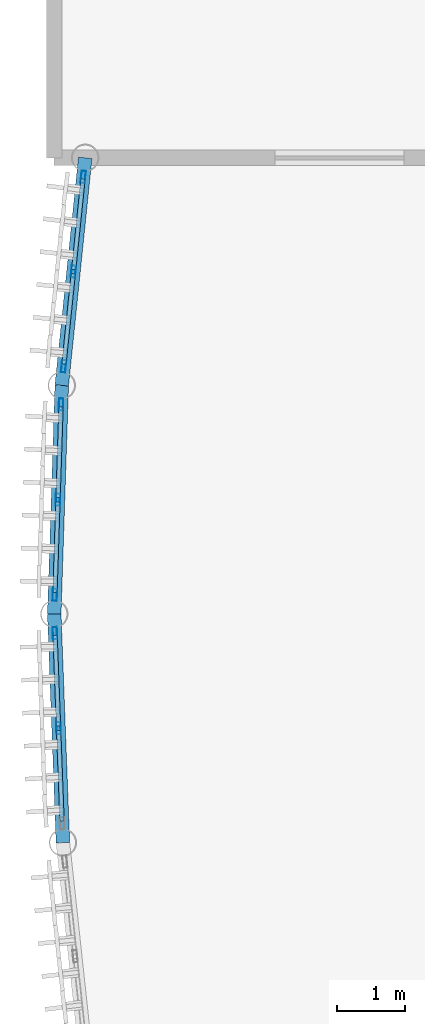
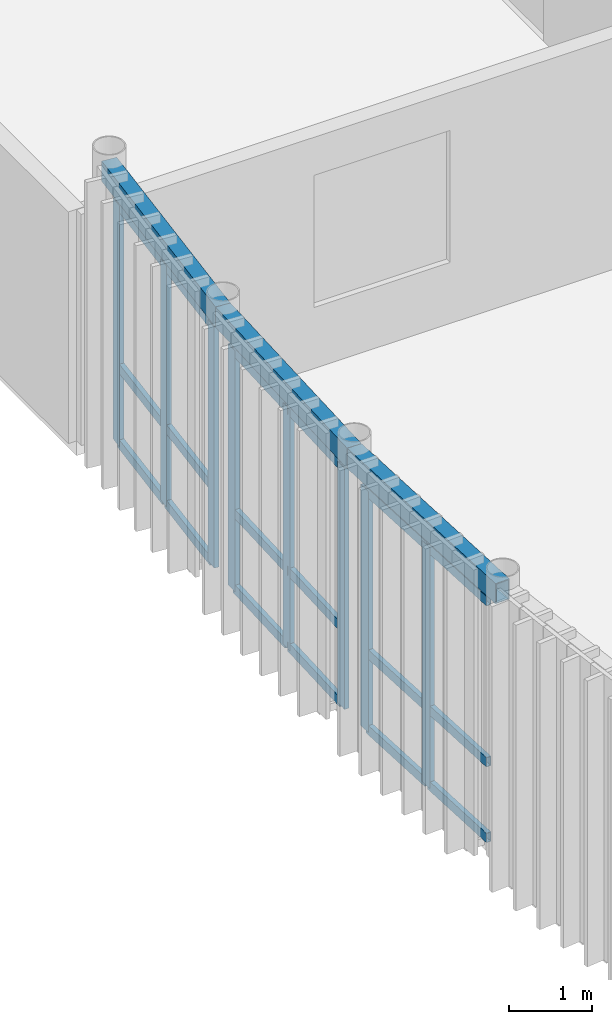
# One storey, part 20 of 54: 26 members, 3 beams, 3 elements without a shape of their own.
"""IFC4 building model written with IfcOpenShell, lengths in metres."""

from ifc_helpers import new_model, si_unit, direction, frame, origin, origin_2d, place, context, subcontext, project, spatial, hollow_rectangle, extrude, material, layer, layer_set, material_profile, profile_set, type_object, element, aggregate, save


model = new_model("IFC4")

# Units and contexts
model_context = context("Model", 3, precision=1e-05, world=origin(), true_north=direction((0.0, 1.0)))
body_context = subcontext(model_context, "Body", "Model", "MODEL_VIEW")
ifc_project = project(units=[si_unit("LENGTHUNIT", "METRE"), si_unit("AREAUNIT", "SQUARE_METRE"), si_unit("VOLUMEUNIT", "CUBIC_METRE"), si_unit("PLANEANGLEUNIT", "RADIAN"), si_unit("MASSUNIT", "GRAM", prefix="KILO")], contexts=[model_context])

# Site, building, storey
site_placement = place(None, origin())
site = spatial("IfcSite", under=ifc_project, at=site_placement, CompositionType="ELEMENT")
building_placement = place(site_placement, origin())
building = spatial("IfcBuilding", under=site, at=building_placement, Name="Selat Folded Stagehouse", CompositionType="ELEMENT")
storey_placement = place(building_placement, frame((0.0, 0.0, 15.0)))
storey = spatial("IfcBuildingStorey", under=building, at=storey_placement, Name="L03", CompositionType="ELEMENT", Elevation=15.0)

# Curtain wall, members
ifc_material_1 = material(Name="Aluminium 6063-T6", Category="aluminium")
ifc_layer = layer(ifc_material_1, 0.18505859375)
ifc_layer_set = layer_set([ifc_layer], Name="Aluminium 6063-T6")
curtain_wall_type = type_object("IfcCurtainWallType", Name="CW-DRM-UPPER", PredefinedType="NOTDEFINED", material=ifc_layer_set)
curtain_wall_1_placement = place(storey_placement, origin())
curtain_wall_1 = element("IfcCurtainWall", 1, at=curtain_wall_1_placement, inside=storey, type_object=curtain_wall_type, Name="L03 curtain wall CW-DRM-L03-00", PredefinedType="NOTDEFINED")
ifc_material_profile_1 = material_profile(ifc_material_1, hollow_rectangle(XDim=0.06494140625, YDim=0.179931640625, WallThickness=0.00390625, at=origin_2d()), Name="ALU 180x65x4.0")
ifc_profile_set_1 = profile_set([ifc_material_profile_1], Name="Aluminium 6063-T6")
member_type_1 = type_object("IfcMemberType", Name="CWM-MUL-180x65", PredefinedType="MULLION", material=ifc_profile_set_1)
member_1_placement = place(storey_placement, frame((0.13916015625, 51.52978515625, 0.0), z_axis=(0.0, 0.0, 1.0), x_axis=(-0.994721032614, 0.102616116059, 0.0)))
member_1 = element("IfcMember", 2, at=member_1_placement, type_object=member_type_1, Name="CW-03 mullion 1", PredefinedType="MULLION", context=body_context, shape_type="SweptSolid", body=[
    extrude(hollow_rectangle(XDim=0.06494140625, YDim=0.179931640625, WallThickness=0.00390625, at=origin_2d()), origin(), (0.0, 0.0, 1.0), 3.56005859375),
])
member_2_placement = place(storey_placement, frame((0.282958984375, 52.92431640625, 0.0), z_axis=(0.0, 0.0, 1.0), x_axis=(-0.994721032614, 0.102616116059, 0.0)))
member_2 = element("IfcMember", 3, at=member_2_placement, type_object=member_type_1, Name="CW-03 mullion 2", PredefinedType="MULLION", context=body_context, shape_type="SweptSolid", body=[
    extrude(hollow_rectangle(XDim=0.06494140625, YDim=0.179931640625, WallThickness=0.00390625, at=origin_2d()), origin(), (0.0, 0.0, 1.0), 3.56005859375),
])
member_3_placement = place(storey_placement, frame((0.4267578125, 54.319091796875, 0.0), z_axis=(0.0, 0.0, 1.0), x_axis=(-0.994721032614, 0.102616116059, 0.0)))
member_3 = element("IfcMember", 4, at=member_3_placement, type_object=member_type_1, Name="CW-03 mullion 3", PredefinedType="MULLION", context=body_context, shape_type="SweptSolid", body=[
    extrude(hollow_rectangle(XDim=0.06494140625, YDim=0.179931640625, WallThickness=0.00390625, at=origin_2d()), origin(), (0.0, 0.0, 1.0), 3.56005859375),
])

curtain_wall_2_placement = place(storey_placement, origin())
curtain_wall_2 = element("IfcCurtainWall", 5, at=curtain_wall_2_placement, inside=storey, type_object=curtain_wall_type, Name="L03 curtain wall CW-DRM-L03-01", PredefinedType="NOTDEFINED")
member_4_placement = place(storey_placement, frame((0.00927734375, 48.1640625, 0.0), z_axis=(0.0, 0.0, 1.0), x_axis=(-0.999467648801, 0.032625434862, 0.0)))
member_4 = element("IfcMember", 6, at=member_4_placement, type_object=member_type_1, Name="CW-03 mullion 1", PredefinedType="MULLION", context=body_context, shape_type="SweptSolid", body=[
    extrude(hollow_rectangle(XDim=0.06494140625, YDim=0.179931640625, WallThickness=0.00390625, at=origin_2d()), origin(), (0.0, 0.0, 1.0), 3.56005859375),
])
member_5_placement = place(storey_placement, frame((0.05517578125, 49.565185546875, 0.0), z_axis=(0.0, 0.0, 1.0), x_axis=(-0.999467648801, 0.032625434862, 0.0)))
member_5 = element("IfcMember", 7, at=member_5_placement, type_object=member_type_1, Name="CW-03 mullion 2", PredefinedType="MULLION", context=body_context, shape_type="SweptSolid", body=[
    extrude(hollow_rectangle(XDim=0.06494140625, YDim=0.179931640625, WallThickness=0.00390625, at=origin_2d()), origin(), (0.0, 0.0, 1.0), 3.56005859375),
])
member_6_placement = place(storey_placement, frame((0.100830078125, 50.96630859375, 0.0), z_axis=(0.0, 0.0, 1.0), x_axis=(-0.999467648801, 0.032625434862, 0.0)))
member_6 = element("IfcMember", 8, at=member_6_placement, type_object=member_type_1, Name="CW-03 mullion 3", PredefinedType="MULLION", context=body_context, shape_type="SweptSolid", body=[
    extrude(hollow_rectangle(XDim=0.06494140625, YDim=0.179931640625, WallThickness=0.00390625, at=origin_2d()), origin(), (0.0, 0.0, 1.0), 3.56005859375),
])

curtain_wall_3_placement = place(storey_placement, origin())
curtain_wall_3 = element("IfcCurtainWall", 9, at=curtain_wall_3_placement, inside=storey, type_object=curtain_wall_type, Name="L03 curtain wall CW-DRM-L03-02", PredefinedType="NOTDEFINED")
member_7_placement = place(storey_placement, frame((0.0634765625, 46.1982421875, 0.0), z_axis=(0.0, 0.0, 1.0), x_axis=(-0.999293858167, -0.037573727908, 0.0)))
member_7 = element("IfcMember", 10, at=member_7_placement, type_object=member_type_1, Name="CW-03 mullion 2", PredefinedType="MULLION", context=body_context, shape_type="SweptSolid", body=[
    extrude(hollow_rectangle(XDim=0.06494140625, YDim=0.179931640625, WallThickness=0.00390625, at=origin_2d()), origin(), (0.0, 0.0, 1.0), 3.56005859375),
])
member_8_placement = place(storey_placement, frame((0.0107421875, 47.599365234375, 0.0), z_axis=(0.0, 0.0, 1.0), x_axis=(-0.999293858167, -0.037573727908, 0.0)))
member_8 = element("IfcMember", 11, at=member_8_placement, type_object=member_type_1, Name="CW-03 mullion 3", PredefinedType="MULLION", context=body_context, shape_type="SweptSolid", body=[
    extrude(hollow_rectangle(XDim=0.06494140625, YDim=0.179931640625, WallThickness=0.00390625, at=origin_2d()), origin(), (0.0, 0.0, 1.0), 3.56005859375),
])

# Member
ifc_material_profile_2 = material_profile(ifc_material_1, hollow_rectangle(XDim=0.06494140625, YDim=0.139892578125, WallThickness=0.00390625, at=origin_2d()), Name="ALU 140x65x4.0")
ifc_profile_set_2 = profile_set([ifc_material_profile_2], Name="Aluminium 6063-T6")
member_type_2 = type_object("IfcMemberType", Name="CWM-TRN-140x65", PredefinedType="USERDEFINED", material=ifc_profile_set_2)
member_9_placement = place(storey_placement, frame((0.142578125, 51.562255859375, 0.032470703125), z_axis=(0.102631236213, 0.994719472692, 0.0), x_axis=(-0.994719472692, 0.102631236213, 0.0)))
member_9 = element("IfcMember", 12, at=member_9_placement, type_object=member_type_2, Name="CW-03 transom 1.1", ObjectType="TRANSOM", PredefinedType="USERDEFINED", context=body_context, shape_type="SweptSolid", body=[
    extrude(hollow_rectangle(XDim=0.06494140625, YDim=0.139892578125, WallThickness=0.00390625, at=origin_2d()), origin(), (0.0, 0.0, 1.0), 1.3369140625),
])

member_10_placement = place(storey_placement, frame((0.142578125, 51.562255859375, 1.14990234375), z_axis=(0.102631236213, 0.994719472692, 0.0), x_axis=(-0.994719472692, 0.102631236213, 0.0)))
member_10 = element("IfcMember", 13, at=member_10_placement, type_object=member_type_2, Name="CW-03 transom 1.2", ObjectType="TRANSOM", PredefinedType="USERDEFINED", context=body_context, shape_type="SweptSolid", body=[
    extrude(hollow_rectangle(XDim=0.06494140625, YDim=0.139892578125, WallThickness=0.00390625, at=origin_2d()), origin(), (0.0, 0.0, 1.0), 1.3369140625),
])

member_11_placement = place(storey_placement, frame((0.142578125, 51.562255859375, 3.527587890625), z_axis=(0.102631236213, 0.994719472692, 0.0), x_axis=(-0.994719472692, 0.102631236213, 0.0)))
member_11 = element("IfcMember", 14, at=member_11_placement, type_object=member_type_2, Name="CW-03 transom 1.3", ObjectType="TRANSOM", PredefinedType="USERDEFINED", context=body_context, shape_type="SweptSolid", body=[
    extrude(hollow_rectangle(XDim=0.06494140625, YDim=0.139892578125, WallThickness=0.00390625, at=origin_2d()), origin(), (0.0, 0.0, 1.0), 1.3369140625),
])

member_12_placement = place(storey_placement, frame((0.286376953125, 52.956787109375, 0.032470703125), z_axis=(0.102631236213, 0.994719472692, 0.0), x_axis=(-0.994719472692, 0.102631236213, 0.0)))
member_12 = element("IfcMember", 15, at=member_12_placement, type_object=member_type_2, Name="CW-03 transom 2.1", ObjectType="TRANSOM", PredefinedType="USERDEFINED", context=body_context, shape_type="SweptSolid", body=[
    extrude(hollow_rectangle(XDim=0.06494140625, YDim=0.139892578125, WallThickness=0.00390625, at=origin_2d()), origin(), (0.0, 0.0, 1.0), 1.3369140625),
])

member_13_placement = place(storey_placement, frame((0.286376953125, 52.956787109375, 1.14990234375), z_axis=(0.102631236213, 0.994719472692, 0.0), x_axis=(-0.994719472692, 0.102631236213, 0.0)))
member_13 = element("IfcMember", 16, at=member_13_placement, type_object=member_type_2, Name="CW-03 transom 2.2", ObjectType="TRANSOM", PredefinedType="USERDEFINED", context=body_context, shape_type="SweptSolid", body=[
    extrude(hollow_rectangle(XDim=0.06494140625, YDim=0.139892578125, WallThickness=0.00390625, at=origin_2d()), origin(), (0.0, 0.0, 1.0), 1.3369140625),
])

member_14_placement = place(storey_placement, frame((0.286376953125, 52.956787109375, 3.527587890625), z_axis=(0.102631236213, 0.994719472692, 0.0), x_axis=(-0.994719472692, 0.102631236213, 0.0)))
member_14 = element("IfcMember", 17, at=member_14_placement, type_object=member_type_2, Name="CW-03 transom 2.3", ObjectType="TRANSOM", PredefinedType="USERDEFINED", context=body_context, shape_type="SweptSolid", body=[
    extrude(hollow_rectangle(XDim=0.06494140625, YDim=0.139892578125, WallThickness=0.00390625, at=origin_2d()), origin(), (0.0, 0.0, 1.0), 1.3369140625),
])

aggregate(curtain_wall_1, [member_1, member_2, member_3, member_9, member_10, member_11, member_12, member_13, member_14])

member_15_placement = place(storey_placement, frame((0.010498046875, 48.196533203125, 0.032470703125), z_axis=(0.032506108816, 0.999471536808, 0.0), x_axis=(-0.999471536808, 0.032506108816, 0.0)))
member_15 = element("IfcMember", 18, at=member_15_placement, type_object=member_type_2, Name="CW-03 transom 1.1", ObjectType="TRANSOM", PredefinedType="USERDEFINED", context=body_context, shape_type="SweptSolid", body=[
    extrude(hollow_rectangle(XDim=0.06494140625, YDim=0.139892578125, WallThickness=0.00390625, at=origin_2d()), origin(), (0.0, 0.0, 1.0), 1.3369140625),
])

member_16_placement = place(storey_placement, frame((0.010498046875, 48.196533203125, 1.14990234375), z_axis=(0.032506108816, 0.999471536808, 0.0), x_axis=(-0.999471536808, 0.032506108816, 0.0)))
member_16 = element("IfcMember", 19, at=member_16_placement, type_object=member_type_2, Name="CW-03 transom 1.2", ObjectType="TRANSOM", PredefinedType="USERDEFINED", context=body_context, shape_type="SweptSolid", body=[
    extrude(hollow_rectangle(XDim=0.06494140625, YDim=0.139892578125, WallThickness=0.00390625, at=origin_2d()), origin(), (0.0, 0.0, 1.0), 1.3369140625),
])

member_17_placement = place(storey_placement, frame((0.010498046875, 48.196533203125, 3.527587890625), z_axis=(0.032506108816, 0.999471536808, 0.0), x_axis=(-0.999471536808, 0.032506108816, 0.0)))
member_17 = element("IfcMember", 20, at=member_17_placement, type_object=member_type_2, Name="CW-03 transom 1.3", ObjectType="TRANSOM", PredefinedType="USERDEFINED", context=body_context, shape_type="SweptSolid", body=[
    extrude(hollow_rectangle(XDim=0.06494140625, YDim=0.139892578125, WallThickness=0.00390625, at=origin_2d()), origin(), (0.0, 0.0, 1.0), 1.3369140625),
])

member_18_placement = place(storey_placement, frame((0.05615234375, 49.59765625, 0.032470703125), z_axis=(0.032688532814, 0.999465587113, 0.0), x_axis=(-0.999465587113, 0.032688532814, 0.0)))
member_18 = element("IfcMember", 21, at=member_18_placement, type_object=member_type_2, Name="CW-03 transom 2.1", ObjectType="TRANSOM", PredefinedType="USERDEFINED", context=body_context, shape_type="SweptSolid", body=[
    extrude(hollow_rectangle(XDim=0.06494140625, YDim=0.139892578125, WallThickness=0.00390625, at=origin_2d()), origin(), (0.0, 0.0, 1.0), 1.3369140625),
])

member_19_placement = place(storey_placement, frame((0.05615234375, 49.59765625, 1.14990234375), z_axis=(0.032688532814, 0.999465587113, 0.0), x_axis=(-0.999465587113, 0.032688532814, 0.0)))
member_19 = element("IfcMember", 22, at=member_19_placement, type_object=member_type_2, Name="CW-03 transom 2.2", ObjectType="TRANSOM", PredefinedType="USERDEFINED", context=body_context, shape_type="SweptSolid", body=[
    extrude(hollow_rectangle(XDim=0.06494140625, YDim=0.139892578125, WallThickness=0.00390625, at=origin_2d()), origin(), (0.0, 0.0, 1.0), 1.3369140625),
])

member_20_placement = place(storey_placement, frame((0.05615234375, 49.59765625, 3.527587890625), z_axis=(0.032688532814, 0.999465587113, 0.0), x_axis=(-0.999465587113, 0.032688532814, 0.0)))
member_20 = element("IfcMember", 23, at=member_20_placement, type_object=member_type_2, Name="CW-03 transom 2.3", ObjectType="TRANSOM", PredefinedType="USERDEFINED", context=body_context, shape_type="SweptSolid", body=[
    extrude(hollow_rectangle(XDim=0.06494140625, YDim=0.139892578125, WallThickness=0.00390625, at=origin_2d()), origin(), (0.0, 0.0, 1.0), 1.3369140625),
])

aggregate(curtain_wall_2, [member_4, member_5, member_6, member_15, member_16, member_17, member_18, member_19, member_20])

member_21_placement = place(storey_placement, frame((0.11474609375, 44.829833984375, 0.032470703125), z_axis=(-0.037437187768, 0.999298982773, 0.0), x_axis=(-0.999298982773, -0.037437187768, 0.0)))
member_21 = element("IfcMember", 24, at=member_21_placement, type_object=member_type_2, Name="CW-03 transom 1.1", ObjectType="TRANSOM", PredefinedType="USERDEFINED", context=body_context, shape_type="SweptSolid", body=[
    extrude(hollow_rectangle(XDim=0.06494140625, YDim=0.139892578125, WallThickness=0.00390625, at=origin_2d()), origin(), (0.0, 0.0, 1.0), 1.3369140625),
])

member_22_placement = place(storey_placement, frame((0.11474609375, 44.829833984375, 1.14990234375), z_axis=(-0.037437187768, 0.999298982773, 0.0), x_axis=(-0.999298982773, -0.037437187768, 0.0)))
member_22 = element("IfcMember", 25, at=member_22_placement, type_object=member_type_2, Name="CW-03 transom 1.2", ObjectType="TRANSOM", PredefinedType="USERDEFINED", context=body_context, shape_type="SweptSolid", body=[
    extrude(hollow_rectangle(XDim=0.06494140625, YDim=0.139892578125, WallThickness=0.00390625, at=origin_2d()), origin(), (0.0, 0.0, 1.0), 1.3369140625),
])

member_23_placement = place(storey_placement, frame((0.11474609375, 44.829833984375, 3.527587890625), z_axis=(-0.037437187768, 0.999298982773, 0.0), x_axis=(-0.999298982773, -0.037437187768, 0.0)))
member_23 = element("IfcMember", 26, at=member_23_placement, type_object=member_type_2, Name="CW-03 transom 1.3", ObjectType="TRANSOM", PredefinedType="USERDEFINED", context=body_context, shape_type="SweptSolid", body=[
    extrude(hollow_rectangle(XDim=0.06494140625, YDim=0.139892578125, WallThickness=0.00390625, at=origin_2d()), origin(), (0.0, 0.0, 1.0), 1.3369140625),
])

member_24_placement = place(storey_placement, frame((0.062255859375, 46.230712890625, 0.032470703125), z_axis=(-0.037612686436, 0.999292392555, 0.0), x_axis=(-0.999292392555, -0.037612686436, 0.0)))
member_24 = element("IfcMember", 27, at=member_24_placement, type_object=member_type_2, Name="CW-03 transom 2.1", ObjectType="TRANSOM", PredefinedType="USERDEFINED", context=body_context, shape_type="SweptSolid", body=[
    extrude(hollow_rectangle(XDim=0.06494140625, YDim=0.139892578125, WallThickness=0.00390625, at=origin_2d()), origin(), (0.0, 0.0, 1.0), 1.337158203125),
])

member_25_placement = place(storey_placement, frame((0.062255859375, 46.230712890625, 1.14990234375), z_axis=(-0.037612686436, 0.999292392555, 0.0), x_axis=(-0.999292392555, -0.037612686436, 0.0)))
member_25 = element("IfcMember", 28, at=member_25_placement, type_object=member_type_2, Name="CW-03 transom 2.2", ObjectType="TRANSOM", PredefinedType="USERDEFINED", context=body_context, shape_type="SweptSolid", body=[
    extrude(hollow_rectangle(XDim=0.06494140625, YDim=0.139892578125, WallThickness=0.00390625, at=origin_2d()), origin(), (0.0, 0.0, 1.0), 1.337158203125),
])

member_26_placement = place(storey_placement, frame((0.062255859375, 46.230712890625, 3.527587890625), z_axis=(-0.037612686436, 0.999292392555, 0.0), x_axis=(-0.999292392555, -0.037612686436, 0.0)))
member_26 = element("IfcMember", 29, at=member_26_placement, type_object=member_type_2, Name="CW-03 transom 2.3", ObjectType="TRANSOM", PredefinedType="USERDEFINED", context=body_context, shape_type="SweptSolid", body=[
    extrude(hollow_rectangle(XDim=0.06494140625, YDim=0.139892578125, WallThickness=0.00390625, at=origin_2d()), origin(), (0.0, 0.0, 1.0), 1.337158203125),
])

aggregate(curtain_wall_3, [member_7, member_8, member_21, member_22, member_23, member_24, member_25, member_26])

# Beams
ifc_material_2 = material(Name="Steel S355", Category="steel")
ifc_material_profile_3 = material_profile(ifc_material_2, hollow_rectangle(XDim=0.199951171875, YDim=0.300048828125, WallThickness=0.012451171875, at=origin_2d()), Name="RHS 300x200x12.5")
ifc_profile_set_3 = profile_set([ifc_material_profile_3], Name="Steel S355")
beam_type = type_object("IfcBeamType", Name="SPD-RHS-300x200", PredefinedType="SPANDREL", material=ifc_profile_set_3)
beam_1_placement = place(storey_placement, frame((0.455810546875, 54.60009765625, 3.85009765625), z_axis=(-0.102609885069, -0.994721675388, 0.0), x_axis=(0.994721675388, -0.102609885069, 0.0)))
element("IfcBeam", 30, at=beam_1_placement, inside=storey, type_object=beam_type, Name="L03 curved drum spandrel beam 1", PredefinedType="SPANDREL", context=body_context, shape_type="SweptSolid", body=[
    extrude(hollow_rectangle(XDim=0.199951171875, YDim=0.300048828125, WallThickness=0.012451171875, at=origin_2d()), origin(), (0.0, 0.0, 1.0), 3.369140625),
])
beam_2_placement = place(storey_placement, frame((0.110107421875, 51.248779296875, 3.85009765625), z_axis=(-0.03268264694, -0.999465779599, 0.0), x_axis=(0.999465779599, -0.03268264694, 0.0)))
element("IfcBeam", 31, at=beam_2_placement, inside=storey, type_object=beam_type, Name="L03 curved drum spandrel beam 2", PredefinedType="SPANDREL", context=body_context, shape_type="SweptSolid", body=[
    extrude(hollow_rectangle(XDim=0.199951171875, YDim=0.300048828125, WallThickness=0.012451171875, at=origin_2d()), origin(), (0.0, 0.0, 1.0), 3.368896484375),
])
beam_3_placement = place(storey_placement, frame((0.0, 47.881591796875, 3.85009765625), z_axis=(0.03760934134, -0.999292518457, 0.0), x_axis=(0.999292518457, 0.03760934134, 0.0)))
element("IfcBeam", 32, at=beam_3_placement, inside=storey, type_object=beam_type, Name="L03 curved drum spandrel beam 3", PredefinedType="SPANDREL", context=body_context, shape_type="SweptSolid", body=[
    extrude(hollow_rectangle(XDim=0.199951171875, YDim=0.300048828125, WallThickness=0.012451171875, at=origin_2d()), origin(), (0.0, 0.0, 1.0), 3.369140625),
])

save(model, "model.ifc")
